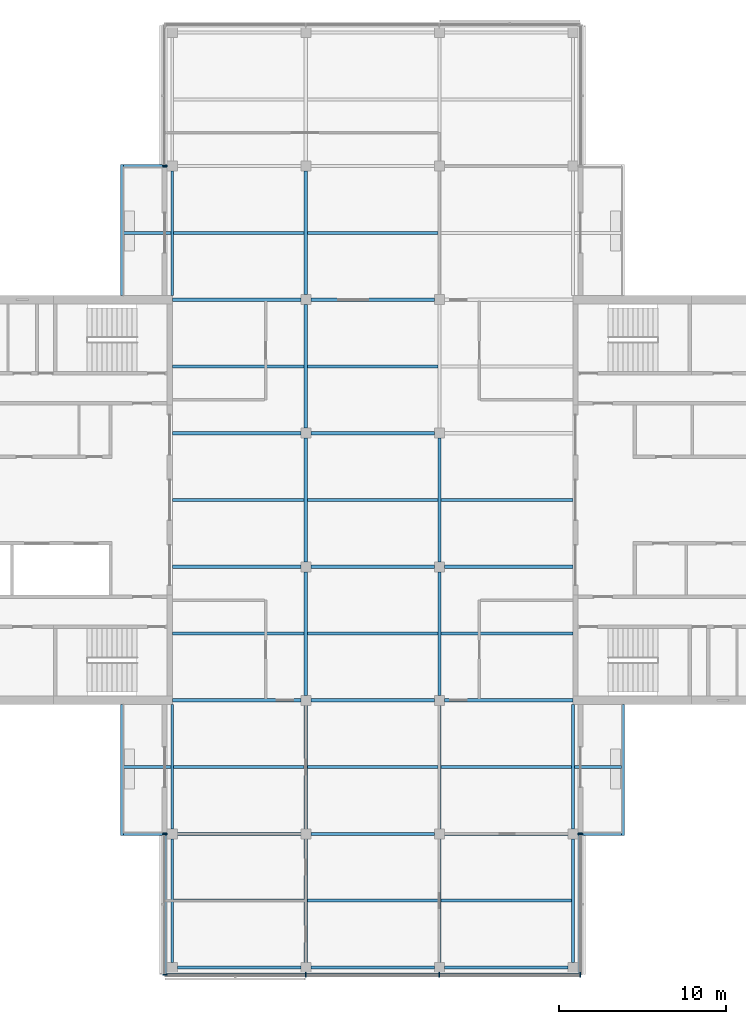
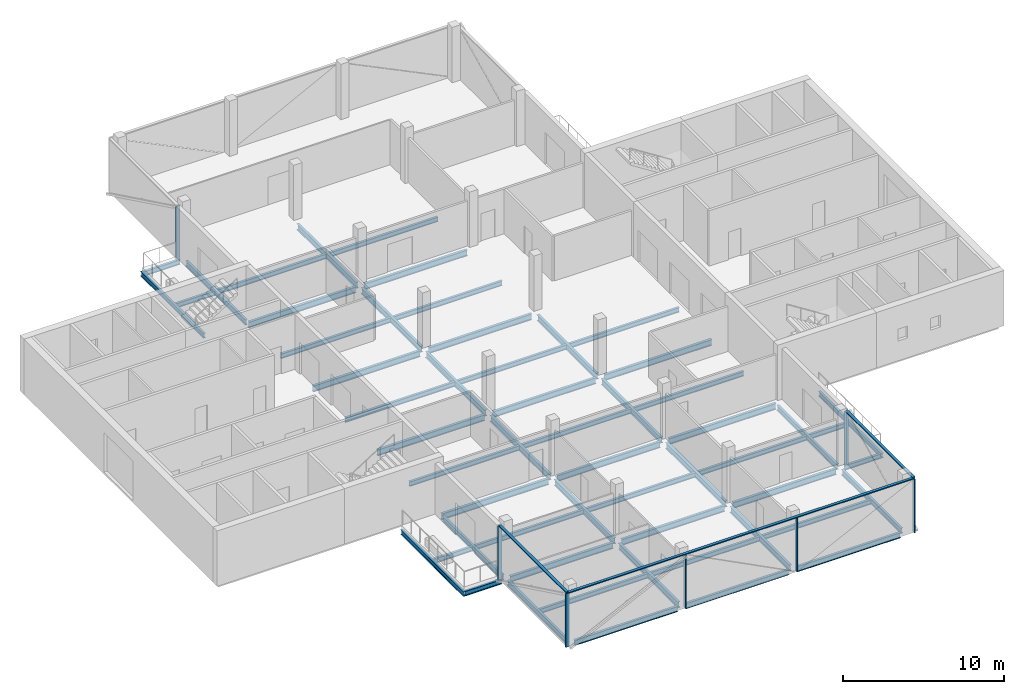
# One storey, part 2 of 11: 56 beams, 10 members, 4 elements without a shape of their own.
"""IFC4 building model written with IfcOpenShell, lengths in metres."""

from ifc_helpers import new_model, si_unit, direction, frame, origin, origin_2d, place, context, subcontext, project, spatial, rectangle, i_section, extrude, material, material_profile, profile_set, type_object, element, aggregate, save


model = new_model("IFC4")

# Units and contexts
model_context = context("Model", 3, precision=1e-05, world=origin(), true_north=direction((0.0, 1.0)))
body_context = subcontext(model_context, "Body", "Model", "MODEL_VIEW")
ifc_project = project(units=[si_unit("LENGTHUNIT", "METRE"), si_unit("AREAUNIT", "SQUARE_METRE"), si_unit("VOLUMEUNIT", "CUBIC_METRE"), si_unit("PLANEANGLEUNIT", "RADIAN"), si_unit("MASSUNIT", "GRAM", prefix="KILO")], contexts=[model_context])

# Site, building, storey
site_placement = place(None, origin())
site = spatial("IfcSite", under=ifc_project, at=site_placement, CompositionType="ELEMENT")
building_placement = place(site_placement, origin())
building = spatial("IfcBuilding", under=site, at=building_placement, Name="Crosswind Convention Tower", CompositionType="ELEMENT")
storey_placement = place(building_placement, frame((0.0, 0.0, 344.89990234375)))
storey = spatial("IfcBuildingStorey", under=building, at=storey_placement, Name="L75", CompositionType="ELEMENT", Elevation=344.89990234375)

# Beams
ifc_material_1 = material(Name="Steel S355", Category="steel")
ifc_material_profile_1 = material_profile(ifc_material_1, i_section(OverallWidth=0.172119140625, OverallDepth=0.358642578125, WebThickness=0.008056640625, FlangeThickness=0.012939453125, FilletRadius=0.01025390625, at=origin_2d()), Name="UB 356x171x57")
ifc_profile_set_1 = profile_set([ifc_material_profile_1], Name="Steel S355")
beam_type_1 = type_object("IfcBeamType", Name="Balcony cantilever UB 356x171x57", PredefinedType="BEAM", material=ifc_profile_set_1)
beam_1_placement = place(storey_placement, frame((112.9111328125, 116.0, -0.479248046875), z_axis=(-1.0, 0.0, 0.0), x_axis=(0.0, -1.0, 0.0)))
element("IfcBeam", 1, at=beam_1_placement, inside=storey, type_object=beam_type_1, Name="B34 L75 balcony cantilever NW 4", PredefinedType="BEAM", context=body_context, shape_type="SweptSolid", body=[
    extrude(i_section(OverallWidth=0.172119140625, OverallDepth=0.358642578125, WebThickness=0.008056640625, FlangeThickness=0.012939453125, FilletRadius=0.01025390625, at=origin_2d()), origin(), (0.0, 0.0, 1.0), 2.825439453125),
])
beam_2_placement = place(storey_placement, frame((112.699951171875, 120.0, -0.479248046875), z_axis=(-1.0, 0.0, 0.0), x_axis=(0.0, -1.0, 0.0)))
element("IfcBeam", 2, at=beam_2_placement, inside=storey, type_object=beam_type_1, Name="B34 L75 balcony cantilever NW 5", PredefinedType="BEAM", context=body_context, shape_type="SweptSolid", body=[
    extrude(i_section(OverallWidth=0.172119140625, OverallDepth=0.358642578125, WebThickness=0.008056640625, FlangeThickness=0.012939453125, FilletRadius=0.01025390625, at=origin_2d()), origin(), (0.0, 0.0, 1.0), 2.6142578125),
])
beam_3_placement = place(storey_placement, frame((112.9111328125, 84.0, -0.479248046875), z_axis=(-1.0, 0.0, 0.0), x_axis=(0.0, -1.0, 0.0)))
element("IfcBeam", 3, at=beam_3_placement, inside=storey, type_object=beam_type_1, Name="B34 L75 balcony cantilever SW 7", PredefinedType="BEAM", context=body_context, shape_type="SweptSolid", body=[
    extrude(i_section(OverallWidth=0.172119140625, OverallDepth=0.358642578125, WebThickness=0.008056640625, FlangeThickness=0.012939453125, FilletRadius=0.01025390625, at=origin_2d()), origin(), (0.0, 0.0, 1.0), 2.825439453125),
])
beam_4_placement = place(storey_placement, frame((112.699951171875, 80.0, -0.479248046875), z_axis=(-1.0, 0.0, 0.0), x_axis=(0.0, -1.0, 0.0)))
element("IfcBeam", 4, at=beam_4_placement, inside=storey, type_object=beam_type_1, Name="B34 L75 balcony cantilever SW 8", PredefinedType="BEAM", context=body_context, shape_type="SweptSolid", body=[
    extrude(i_section(OverallWidth=0.172119140625, OverallDepth=0.358642578125, WebThickness=0.008056640625, FlangeThickness=0.012939453125, FilletRadius=0.01025390625, at=origin_2d()), origin(), (0.0, 0.0, 1.0), 2.6142578125),
])
beam_5_placement = place(storey_placement, frame((137.0888671875, 84.0, -0.479248046875), z_axis=(1.0, 0.0, 0.0), x_axis=(0.0, 1.0, 0.0)))
element("IfcBeam", 5, at=beam_5_placement, inside=storey, type_object=beam_type_1, Name="B34 L75 balcony cantilever SE 10", PredefinedType="BEAM", context=body_context, shape_type="SweptSolid", body=[
    extrude(i_section(OverallWidth=0.172119140625, OverallDepth=0.358642578125, WebThickness=0.008056640625, FlangeThickness=0.012939453125, FilletRadius=0.01025390625, at=origin_2d()), origin(), (0.0, 0.0, 1.0), 2.825439453125),
])
beam_6_placement = place(storey_placement, frame((137.300048828125, 80.0, -0.479248046875), z_axis=(1.0, 0.0, 0.0), x_axis=(0.0, 1.0, 0.0)))
element("IfcBeam", 6, at=beam_6_placement, inside=storey, type_object=beam_type_1, Name="B34 L75 balcony cantilever SE 11", PredefinedType="BEAM", context=body_context, shape_type="SweptSolid", body=[
    extrude(i_section(OverallWidth=0.172119140625, OverallDepth=0.358642578125, WebThickness=0.008056640625, FlangeThickness=0.012939453125, FilletRadius=0.01025390625, at=origin_2d()), origin(), (0.0, 0.0, 1.0), 2.6142578125),
])
ifc_material_profile_2 = material_profile(ifc_material_1, i_section(OverallWidth=0.17138671875, OverallDepth=0.355712890625, WebThickness=0.00732421875, FlangeThickness=0.011474609375, FilletRadius=0.01025390625, at=origin_2d()), Name="UB 356x171x51")
ifc_profile_set_2 = profile_set([ifc_material_profile_2], Name="Steel S355")
beam_type_2 = type_object("IfcBeamType", Name="Balcony edge beam UB 356x171x51", PredefinedType="BEAM", material=ifc_profile_set_2)
for number, where, z_axis, x_axis, name in (
    (7, (110.0, 112.25, -0.477783203125), (0.0, 1.0, 0.0), (-1.0, 0.0, 0.0), "B38 L75 balcony edge beam NW 6"),
    (8, (110.0, 87.75, -0.477783203125), (0.0, -1.0, 0.0), (1.0, 0.0, 0.0), "B38 L75 balcony edge beam SW 9"),
    (9, (140.0, 87.75, -0.477783203125), (0.0, -1.0, 0.0), (1.0, 0.0, 0.0), "B38 L75 balcony edge beam SE 12"),
):
    element("IfcBeam", number, at=place(storey_placement, frame(where, z_axis=z_axis, x_axis=x_axis)), inside=storey, type_object=beam_type_2, Name=name, PredefinedType="BEAM", context=body_context, shape_type="SweptSolid", body=[
        extrude(i_section(OverallWidth=0.17138671875, OverallDepth=0.355712890625, WebThickness=0.00732421875, FlangeThickness=0.011474609375, FilletRadius=0.01025390625, at=origin_2d()), origin(), (0.0, 0.0, 1.0), 7.8359375),
    ])
ifc_material_profile_3 = material_profile(ifc_material_1, i_section(OverallWidth=0.177734375, OverallDepth=0.406494140625, WebThickness=0.0078125, FlangeThickness=0.0126953125, FilletRadius=0.01025390625, at=origin_2d()), Name="UB 406x178x60")
ifc_profile_set_3 = profile_set([ifc_material_profile_3], Name="Steel S355")
beam_type_3 = type_object("IfcBeamType", Name="Edge beam UB 406x178x60", PredefinedType="SPANDREL", material=ifc_profile_set_3)
beam_7_placement = place(storey_placement, frame((113.0, 72.300048828125, -0.503173828125), z_axis=(0.0, 1.0, 0.0), x_axis=(-1.0, 0.0, 0.0)))
element("IfcBeam", 10, at=beam_7_placement, inside=storey, type_object=beam_type_3, Name="B15 L75 edge beam 1", PredefinedType="SPANDREL", context=body_context, shape_type="SweptSolid", body=[
    extrude(i_section(OverallWidth=0.177734375, OverallDepth=0.406494140625, WebThickness=0.0078125, FlangeThickness=0.0126953125, FilletRadius=0.01025390625, at=origin_2d()), origin(), (0.0, 0.0, 1.0), 7.39990234375),
])
for number, where, z_axis, x_axis, name in (
    (11, (113.0, 80.300048828125, -0.503173828125), (0.0, 1.0, 0.0), (-1.0, 0.0, 0.0), "B15 L75 edge beam 2"),
    (12, (113.0, 112.25, -0.503173828125), (0.0, 1.0, 0.0), (-1.0, 0.0, 0.0), "B15 L75 edge beam 3"),
):
    element("IfcBeam", number, at=place(storey_placement, frame(where, z_axis=z_axis, x_axis=x_axis)), inside=storey, type_object=beam_type_3, Name=name, PredefinedType="SPANDREL", context=body_context, shape_type="SweptSolid", body=[
        extrude(i_section(OverallWidth=0.177734375, OverallDepth=0.406494140625, WebThickness=0.0078125, FlangeThickness=0.0126953125, FilletRadius=0.01025390625, at=origin_2d()), origin(), (0.0, 0.0, 1.0), 7.449951171875),
    ])
for number, where, z_axis, x_axis, name in (
    (13, (113.300048828125, 72.0, -0.503173828125), (1.0, 0.0, 0.0), (0.0, 1.0, 0.0), "B15 L75 edge beam 5"),
    (14, (121.300048828125, 72.0, -0.503173828125), (1.0, 0.0, 0.0), (0.0, 1.0, 0.0), "B15 L75 edge beam 7"),
    (15, (129.300048828125, 72.0, -0.503173828125), (1.0, 0.0, 0.0), (0.0, 1.0, 0.0), "B15 L75 edge beam 9"),
    (16, (137.0, 72.300048828125, -0.503173828125), (0.0, 1.0, 0.0), (-1.0, 0.0, 0.0), "B15 L75 edge beam 11"),
):
    element("IfcBeam", number, at=place(storey_placement, frame(where, z_axis=z_axis, x_axis=x_axis)), inside=storey, type_object=beam_type_3, Name=name, PredefinedType="SPANDREL", context=body_context, shape_type="SweptSolid", body=[
        extrude(i_section(OverallWidth=0.177734375, OverallDepth=0.406494140625, WebThickness=0.0078125, FlangeThickness=0.0126953125, FilletRadius=0.01025390625, at=origin_2d()), origin(), (0.0, 0.0, 1.0), 7.39990234375),
    ])
beam_8_placement = place(storey_placement, frame((137.0, 80.300048828125, -0.503173828125), z_axis=(0.0, 1.0, 0.0), x_axis=(-1.0, 0.0, 0.0)))
element("IfcBeam", 17, at=beam_8_placement, inside=storey, type_object=beam_type_3, Name="B15 L75 edge beam 12", PredefinedType="SPANDREL", context=body_context, shape_type="SweptSolid", body=[
    extrude(i_section(OverallWidth=0.177734375, OverallDepth=0.406494140625, WebThickness=0.0078125, FlangeThickness=0.0126953125, FilletRadius=0.01025390625, at=origin_2d()), origin(), (0.0, 0.0, 1.0), 7.449951171875),
])
ifc_material_profile_4 = material_profile(ifc_material_1, i_section(OverallWidth=0.18994140625, OverallDepth=0.45361328125, WebThickness=0.008544921875, FlangeThickness=0.0126953125, FilletRadius=0.01025390625, at=origin_2d()), Name="UB 457x191x67")
ifc_profile_set_4 = profile_set([ifc_material_profile_4], Name="Steel S355")
beam_type_4 = type_object("IfcBeamType", Name="Girder UB 457x191x67", PredefinedType="BEAM", material=ifc_profile_set_4)
for number, where, z_axis, x_axis, name in (
    (18, (113.300048828125, 80.0, -0.526611328125), (1.0, 0.0, 0.0), (0.0, 1.0, 0.0), "B1 L75 girder 1"),
    (19, (121.0, 72.300048828125, -0.526611328125), (0.0, 1.0, 0.0), (-1.0, 0.0, 0.0), "B1 L75 girder 3"),
    (20, (121.0, 80.300048828125, -0.526611328125), (0.0, 1.0, 0.0), (-1.0, 0.0, 0.0), "B1 L75 girder 4"),
    (21, (121.0, 88.300048828125, -0.526611328125), (0.0, 1.0, 0.0), (-1.0, 0.0, 0.0), "B1 L75 girder 5"),
    (22, (121.0, 96.300048828125, -0.526611328125), (0.0, 1.0, 0.0), (-1.0, 0.0, 0.0), "B1 L75 girder 6"),
    (23, (121.0, 104.300048828125, -0.526611328125), (0.0, 1.0, 0.0), (-1.0, 0.0, 0.0), "B1 L75 girder 7"),
    (24, (121.0, 112.300048828125, -0.526611328125), (0.0, 1.0, 0.0), (-1.0, 0.0, 0.0), "B1 L75 girder 8"),
    (25, (121.300048828125, 80.0, -0.526611328125), (1.0, 0.0, 0.0), (0.0, 1.0, 0.0), "B1 L75 girder 10"),
    (26, (121.300048828125, 88.0, -0.526611328125), (1.0, 0.0, 0.0), (0.0, 1.0, 0.0), "B1 L75 girder 11"),
    (27, (121.300048828125, 96.0, -0.526611328125), (1.0, 0.0, 0.0), (0.0, 1.0, 0.0), "B1 L75 girder 12"),
    (28, (121.300048828125, 104.0, -0.526611328125), (1.0, 0.0, 0.0), (0.0, 1.0, 0.0), "B1 L75 girder 13"),
    (29, (121.300048828125, 112.0, -0.526611328125), (1.0, 0.0, 0.0), (0.0, 1.0, 0.0), "B1 L75 girder 14"),
    (30, (129.0, 72.300048828125, -0.526611328125), (0.0, 1.0, 0.0), (-1.0, 0.0, 0.0), "B1 L75 girder 16"),
    (31, (129.0, 80.300048828125, -0.526611328125), (0.0, 1.0, 0.0), (-1.0, 0.0, 0.0), "B1 L75 girder 17"),
    (32, (129.0, 88.300048828125, -0.526611328125), (0.0, 1.0, 0.0), (-1.0, 0.0, 0.0), "B1 L75 girder 18"),
    (33, (129.0, 96.300048828125, -0.526611328125), (0.0, 1.0, 0.0), (-1.0, 0.0, 0.0), "B1 L75 girder 19"),
    (34, (129.300048828125, 80.0, -0.526611328125), (1.0, 0.0, 0.0), (0.0, 1.0, 0.0), "B1 L75 girder 23"),
):
    element("IfcBeam", number, at=place(storey_placement, frame(where, z_axis=z_axis, x_axis=x_axis)), inside=storey, type_object=beam_type_4, Name=name, PredefinedType="BEAM", context=body_context, shape_type="SweptSolid", body=[
        extrude(i_section(OverallWidth=0.18994140625, OverallDepth=0.45361328125, WebThickness=0.008544921875, FlangeThickness=0.0126953125, FilletRadius=0.01025390625, at=origin_2d()), origin(), (0.0, 0.0, 1.0), 7.39990234375),
    ])
ifc_material_profile_5 = material_profile(ifc_material_1, i_section(OverallWidth=0.1904296875, OverallDepth=0.457275390625, WebThickness=0.009033203125, FlangeThickness=0.014404296875, FilletRadius=0.01025390625, at=origin_2d()), Name="UB 457x191x75")
ifc_profile_set_5 = profile_set([ifc_material_profile_5], Name="Steel S355")
beam_type_5 = type_object("IfcBeamType", Name="Girder at core wall UB 457x191x75", PredefinedType="BEAM", material=ifc_profile_set_5)
for number, where, z_axis, x_axis, name in (
    (35, (113.0, 88.0, -0.528564453125), (1.0, 0.0, 0.0), (0.0, 1.0, 0.0), "B22 L75 girder at core wall 1"),
    (36, (113.0, 96.0, -0.528564453125), (1.0, 0.0, 0.0), (0.0, 1.0, 0.0), "B22 L75 girder at core wall 2"),
    (37, (113.0, 104.0, -0.528564453125), (1.0, 0.0, 0.0), (0.0, 1.0, 0.0), "B22 L75 girder at core wall 3"),
    (38, (113.0, 112.0, -0.528564453125), (1.0, 0.0, 0.0), (0.0, 1.0, 0.0), "B22 L75 girder at core wall 4"),
    (39, (129.300048828125, 88.0, -0.528564453125), (1.0, 0.0, 0.0), (0.0, 1.0, 0.0), "B22 L75 girder at core wall 5"),
    (40, (129.300048828125, 96.0, -0.528564453125), (1.0, 0.0, 0.0), (0.0, 1.0, 0.0), "B22 L75 girder at core wall 6"),
):
    element("IfcBeam", number, at=place(storey_placement, frame(where, z_axis=z_axis, x_axis=x_axis)), inside=storey, type_object=beam_type_5, Name=name, PredefinedType="BEAM", context=body_context, shape_type="SweptSolid", body=[
        extrude(i_section(OverallWidth=0.1904296875, OverallDepth=0.457275390625, WebThickness=0.009033203125, FlangeThickness=0.014404296875, FilletRadius=0.01025390625, at=origin_2d()), origin(), (0.0, 0.0, 1.0), 7.699951171875),
    ])

# Curtain wall, member
ifc_material_2 = material(Name="Aluminium unitised curtain wall", Category="aluminium")
curtain_wall_type = type_object("IfcCurtainWallType", Name="SKY LOBBY AND LOUNGE WALL 280", PredefinedType="USERDEFINED", material=ifc_material_2)
curtain_wall_1_placement = place(storey_placement, origin())
curtain_wall_1 = element("IfcCurtainWall", 41, at=curtain_wall_1_placement, inside=storey, type_object=curtain_wall_type, Name="CW4 L75 N-W 1", ObjectType="UNITISED", PredefinedType="USERDEFINED")
ifc_material_3 = material(Name="Aluminium mullion", Category="aluminium")
ifc_material_profile_6 = material_profile(ifc_material_3, rectangle(XDim=0.280029296875, YDim=0.074951171875, at=origin_2d()), Name="AL 280X75")
ifc_profile_set_6 = profile_set([ifc_material_profile_6], Name="Aluminium mullion")
member_type_1 = type_object("IfcMemberType", Name="MULLION 75X280", PredefinedType="MULLION", material=ifc_profile_set_6)
member_1_placement = place(storey_placement, frame((112.56005859375, 120.0, -0.2998046875), z_axis=(0.0, 0.0, 1.0), x_axis=(-1.0, 0.0, 0.0)))
member_1 = element("IfcMember", 42, at=member_1_placement, type_object=member_type_1, Name="CW4 mullion 2", PredefinedType="MULLION", context=body_context, shape_type="SweptSolid", body=[
    extrude(rectangle(XDim=0.280029296875, YDim=0.074951171875, at=origin_2d()), origin(), (0.0, 0.0, 1.0), 4.074951171875),
])
aggregate(curtain_wall_1, [member_1])

# Curtain wall, members
curtain_wall_2_placement = place(storey_placement, origin())
curtain_wall_2 = element("IfcCurtainWall", 43, at=curtain_wall_2_placement, inside=storey, type_object=curtain_wall_type, Name="CW4 L75 S-W 1", ObjectType="UNITISED", PredefinedType="USERDEFINED")
member_2_placement = place(storey_placement, frame((112.56005859375, 80.0, -0.2998046875), z_axis=(0.0, 0.0, 1.0), x_axis=(-1.0, 0.0, 0.0)))
member_2 = element("IfcMember", 44, at=member_2_placement, type_object=member_type_1, Name="CW4 mullion 1", PredefinedType="MULLION", context=body_context, shape_type="SweptSolid", body=[
    extrude(rectangle(XDim=0.280029296875, YDim=0.074951171875, at=origin_2d()), origin(), (0.0, 0.0, 1.0), 4.074951171875),
])
member_3_placement = place(storey_placement, frame((112.56005859375, 71.56005859375, -0.2998046875), z_axis=(0.0, 0.0, 1.0), x_axis=(-1.0, 0.0, 0.0)))
member_3 = element("IfcMember", 45, at=member_3_placement, type_object=member_type_1, Name="CW4 mullion 2", PredefinedType="MULLION", context=body_context, shape_type="SweptSolid", body=[
    extrude(rectangle(XDim=0.280029296875, YDim=0.074951171875, at=origin_2d()), origin(), (0.0, 0.0, 1.0), 4.074951171875),
])

curtain_wall_3_placement = place(storey_placement, origin())
curtain_wall_3 = element("IfcCurtainWall", 46, at=curtain_wall_3_placement, inside=storey, type_object=curtain_wall_type, Name="CW4 L75 S-TIP 1", ObjectType="UNITISED", PredefinedType="USERDEFINED")
member_4_placement = place(storey_placement, frame((121.0, 71.56005859375, -0.2998046875), z_axis=(0.0, 0.0, 1.0), x_axis=(0.0, -1.0, 0.0)))
member_4 = element("IfcMember", 47, at=member_4_placement, type_object=member_type_1, Name="CW4 mullion 2", PredefinedType="MULLION", context=body_context, shape_type="SweptSolid", body=[
    extrude(rectangle(XDim=0.280029296875, YDim=0.074951171875, at=origin_2d()), origin(), (0.0, 0.0, 1.0), 4.074951171875),
])
member_5_placement = place(storey_placement, frame((129.0, 71.56005859375, -0.2998046875), z_axis=(0.0, 0.0, 1.0), x_axis=(0.0, -1.0, 0.0)))
member_5 = element("IfcMember", 48, at=member_5_placement, type_object=member_type_1, Name="CW4 mullion 3", PredefinedType="MULLION", context=body_context, shape_type="SweptSolid", body=[
    extrude(rectangle(XDim=0.280029296875, YDim=0.074951171875, at=origin_2d()), origin(), (0.0, 0.0, 1.0), 4.074951171875),
])
member_6_placement = place(storey_placement, frame((137.43994140625, 71.56005859375, -0.2998046875), z_axis=(0.0, 0.0, 1.0), x_axis=(0.0, -1.0, 0.0)))
member_6 = element("IfcMember", 49, at=member_6_placement, type_object=member_type_1, Name="CW4 mullion 4", PredefinedType="MULLION", context=body_context, shape_type="SweptSolid", body=[
    extrude(rectangle(XDim=0.280029296875, YDim=0.074951171875, at=origin_2d()), origin(), (0.0, 0.0, 1.0), 4.074951171875),
])

# Curtain wall, member
curtain_wall_4_placement = place(storey_placement, origin())
curtain_wall_4 = element("IfcCurtainWall", 50, at=curtain_wall_4_placement, inside=storey, type_object=curtain_wall_type, Name="CW4 L75 S-E 1", ObjectType="UNITISED", PredefinedType="USERDEFINED")
member_7_placement = place(storey_placement, frame((137.43994140625, 80.0, -0.2998046875), z_axis=(0.0, 0.0, 1.0), x_axis=(1.0, 0.0, 0.0)))
member_7 = element("IfcMember", 51, at=member_7_placement, type_object=member_type_1, Name="CW4 mullion 2", PredefinedType="MULLION", context=body_context, shape_type="SweptSolid", body=[
    extrude(rectangle(XDim=0.280029296875, YDim=0.074951171875, at=origin_2d()), origin(), (0.0, 0.0, 1.0), 4.074951171875),
])

# Beams
ifc_material_profile_7 = material_profile(ifc_material_1, i_section(OverallWidth=0.17138671875, OverallDepth=0.355712890625, WebThickness=0.00732421875, FlangeThickness=0.011474609375, FilletRadius=0.01025390625, at=origin_2d()), Name="UB 356x171x51")
ifc_profile_set_7 = profile_set([ifc_material_profile_7], Name="Steel S355")
beam_type_6 = type_object("IfcBeamType", Name="Secondary beam UB 356x171x51", PredefinedType="JOIST", material=ifc_profile_set_7)
for number, where, z_axis, x_axis, name in (
    (52, (113.0, 92.0, -0.477783203125), (1.0, 0.0, 0.0), (0.0, 1.0, 0.0), "B8 L75 secondary beam 1"),
    (53, (113.0, 100.0, -0.477783203125), (1.0, 0.0, 0.0), (0.0, 1.0, 0.0), "B8 L75 secondary beam 2"),
    (54, (113.0, 108.0, -0.477783203125), (1.0, 0.0, 0.0), (0.0, 1.0, 0.0), "B8 L75 secondary beam 3"),
):
    element("IfcBeam", number, at=place(storey_placement, frame(where, z_axis=z_axis, x_axis=x_axis)), inside=storey, type_object=beam_type_6, Name=name, PredefinedType="JOIST", context=body_context, shape_type="SweptSolid", body=[
        extrude(i_section(OverallWidth=0.17138671875, OverallDepth=0.355712890625, WebThickness=0.00732421875, FlangeThickness=0.011474609375, FilletRadius=0.01025390625, at=origin_2d()), origin(), (0.0, 0.0, 1.0), 7.905029296875),
    ])
for number, where, z_axis, x_axis, name in (
    (55, (113.0888671875, 76.0, -0.477783203125), (1.0, 0.0, 0.0), (0.0, 1.0, 0.0), "B8 L75 secondary beam 4"),
    (56, (113.0888671875, 84.0, -0.477783203125), (1.0, 0.0, 0.0), (0.0, 1.0, 0.0), "B8 L75 secondary beam 5"),
    (57, (113.0888671875, 116.0, -0.477783203125), (1.0, 0.0, 0.0), (0.0, 1.0, 0.0), "B8 L75 secondary beam 6"),
):
    element("IfcBeam", number, at=place(storey_placement, frame(where, z_axis=z_axis, x_axis=x_axis)), inside=storey, type_object=beam_type_6, Name=name, PredefinedType="JOIST", context=body_context, shape_type="SweptSolid", body=[
        extrude(i_section(OverallWidth=0.17138671875, OverallDepth=0.355712890625, WebThickness=0.00732421875, FlangeThickness=0.011474609375, FilletRadius=0.01025390625, at=origin_2d()), origin(), (0.0, 0.0, 1.0), 7.816162109375),
    ])
for number, where, z_axis, x_axis, name in (
    (58, (121.094970703125, 76.0, -0.477783203125), (1.0, 0.0, 0.0), (0.0, 1.0, 0.0), "B8 L75 secondary beam 8"),
    (59, (121.094970703125, 84.0, -0.477783203125), (1.0, 0.0, 0.0), (0.0, 1.0, 0.0), "B8 L75 secondary beam 9"),
    (60, (121.094970703125, 92.0, -0.477783203125), (1.0, 0.0, 0.0), (0.0, 1.0, 0.0), "B8 L75 secondary beam 10"),
    (61, (121.094970703125, 100.0, -0.477783203125), (1.0, 0.0, 0.0), (0.0, 1.0, 0.0), "B8 L75 secondary beam 11"),
    (62, (121.094970703125, 108.0, -0.477783203125), (1.0, 0.0, 0.0), (0.0, 1.0, 0.0), "B8 L75 secondary beam 12"),
    (63, (121.094970703125, 116.0, -0.477783203125), (1.0, 0.0, 0.0), (0.0, 1.0, 0.0), "B8 L75 secondary beam 13"),
):
    element("IfcBeam", number, at=place(storey_placement, frame(where, z_axis=z_axis, x_axis=x_axis)), inside=storey, type_object=beam_type_6, Name=name, PredefinedType="JOIST", context=body_context, shape_type="SweptSolid", body=[
        extrude(i_section(OverallWidth=0.17138671875, OverallDepth=0.355712890625, WebThickness=0.00732421875, FlangeThickness=0.011474609375, FilletRadius=0.01025390625, at=origin_2d()), origin(), (0.0, 0.0, 1.0), 7.81005859375),
    ])
for number, where, z_axis, x_axis, name in (
    (64, (129.094970703125, 76.0, -0.477783203125), (1.0, 0.0, 0.0), (0.0, 1.0, 0.0), "B8 L75 secondary beam 15"),
    (65, (129.094970703125, 84.0, -0.477783203125), (1.0, 0.0, 0.0), (0.0, 1.0, 0.0), "B8 L75 secondary beam 16"),
):
    element("IfcBeam", number, at=place(storey_placement, frame(where, z_axis=z_axis, x_axis=x_axis)), inside=storey, type_object=beam_type_6, Name=name, PredefinedType="JOIST", context=body_context, shape_type="SweptSolid", body=[
        extrude(i_section(OverallWidth=0.17138671875, OverallDepth=0.355712890625, WebThickness=0.00732421875, FlangeThickness=0.011474609375, FilletRadius=0.01025390625, at=origin_2d()), origin(), (0.0, 0.0, 1.0), 7.816162109375),
    ])
for number, where, z_axis, x_axis, name in (
    (66, (129.094970703125, 92.0, -0.477783203125), (1.0, 0.0, 0.0), (0.0, 1.0, 0.0), "B8 L75 secondary beam 17"),
    (67, (129.094970703125, 100.0, -0.477783203125), (1.0, 0.0, 0.0), (0.0, 1.0, 0.0), "B8 L75 secondary beam 18"),
):
    element("IfcBeam", number, at=place(storey_placement, frame(where, z_axis=z_axis, x_axis=x_axis)), inside=storey, type_object=beam_type_6, Name=name, PredefinedType="JOIST", context=body_context, shape_type="SweptSolid", body=[
        extrude(i_section(OverallWidth=0.17138671875, OverallDepth=0.355712890625, WebThickness=0.00732421875, FlangeThickness=0.011474609375, FilletRadius=0.01025390625, at=origin_2d()), origin(), (0.0, 0.0, 1.0), 7.905029296875),
    ])

# Member
ifc_material_4 = material(Name="Aluminium transom", Category="aluminium")
ifc_material_profile_8 = material_profile(ifc_material_4, rectangle(XDim=0.199951171875, YDim=0.074951171875, at=origin_2d()), Name="AL 200X75")
ifc_profile_set_8 = profile_set([ifc_material_profile_8], Name="Aluminium transom")
member_type_2 = type_object("IfcMemberType", Name="TRANSOM 75X200", PredefinedType="USERDEFINED", material=ifc_profile_set_8)
member_8_placement = place(storey_placement, frame((112.56005859375, 79.96240234375, 3.8125), z_axis=(0.0, -1.0, 0.0), x_axis=(1.0, 0.0, 0.0)))
member_8 = element("IfcMember", 68, at=member_8_placement, type_object=member_type_2, Name="CW4 transom", ObjectType="TRANSOM", PredefinedType="USERDEFINED", context=body_context, shape_type="SweptSolid", body=[
    extrude(rectangle(XDim=0.199951171875, YDim=0.074951171875, at=origin_2d()), origin(), (0.0, 0.0, 1.0), 8.364990234375),
])

aggregate(curtain_wall_2, [member_2, member_3, member_8])

member_9_placement = place(storey_placement, frame((112.597412109375, 71.56005859375, 3.8125), z_axis=(1.0, 0.0, 0.0), x_axis=(0.0, 1.0, 0.0)))
member_9 = element("IfcMember", 69, at=member_9_placement, type_object=member_type_2, Name="CW4 transom", ObjectType="TRANSOM", PredefinedType="USERDEFINED", context=body_context, shape_type="SweptSolid", body=[
    extrude(rectangle(XDim=0.199951171875, YDim=0.074951171875, at=origin_2d()), origin(), (0.0, 0.0, 1.0), 24.80517578125),
])

aggregate(curtain_wall_3, [member_4, member_5, member_6, member_9])

member_10_placement = place(storey_placement, frame((137.43994140625, 71.597412109375, 3.8125), z_axis=(0.0, 1.0, 0.0), x_axis=(-1.0, 0.0, 0.0)))
member_10 = element("IfcMember", 70, at=member_10_placement, type_object=member_type_2, Name="CW4 transom", ObjectType="TRANSOM", PredefinedType="USERDEFINED", context=body_context, shape_type="SweptSolid", body=[
    extrude(rectangle(XDim=0.199951171875, YDim=0.074951171875, at=origin_2d()), origin(), (0.0, 0.0, 1.0), 8.364990234375),
])

aggregate(curtain_wall_4, [member_7, member_10])

save(model, "model.ifc")
